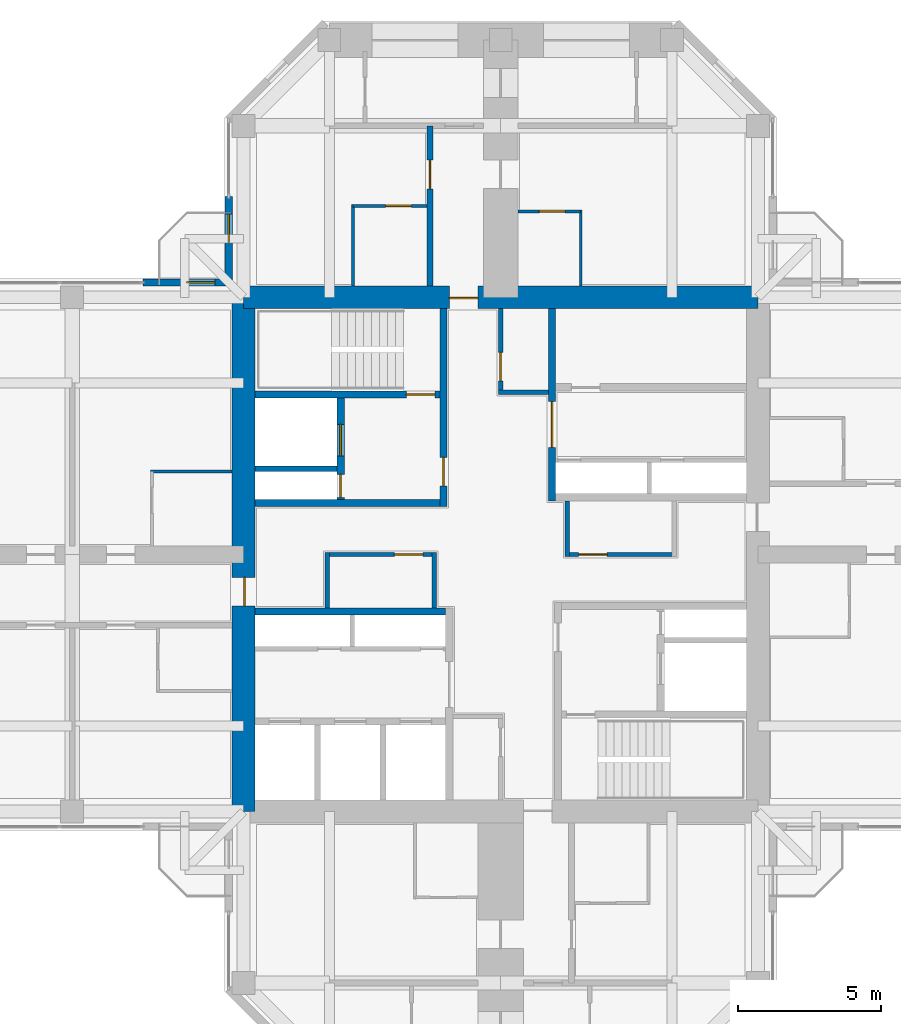
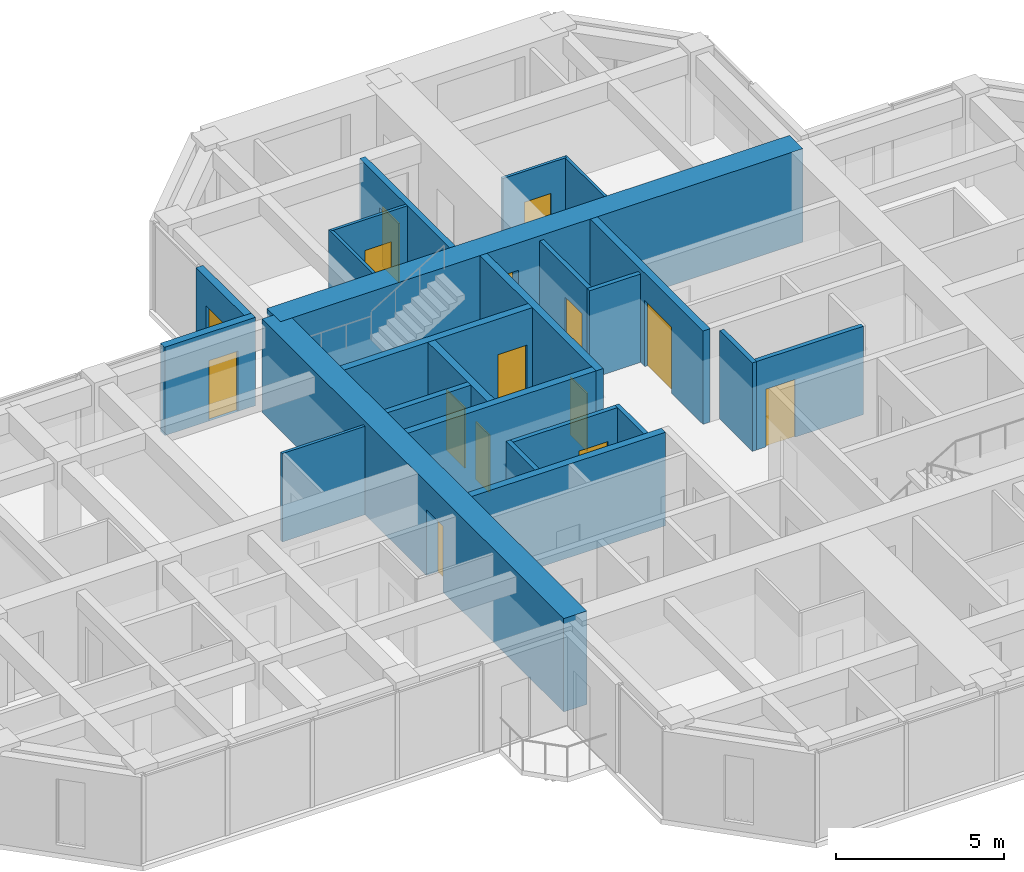
# One storey, part 10 of 14: 24 walls, 15 doors, 15 openings.
"""IFC4 building model written with IfcOpenShell, lengths in metres."""

import ifcopenshell
import ifcopenshell.guid

model = None  # the IFC model being written
_history = None  # IfcOwnerHistory: only IFC2X3 demands one
_inside = {}  # id of a spatial element -> (the spatial element, [elements in it])
_under = {}  # id of a project, library or spatial element -> (it, [spatial elements below it])
_declared = {}  # id of a project -> (the project, [libraries it declares])
_typed = {}  # id of a type object -> (the type object, [elements of that type])
_made_of = {}  # id of a material, layer set ... -> (it, [elements and type objects made of it])


def new_model(schema):
    """Start an empty IFC model of exactly this schema.

    Asked for "IFC4X3", IfcOpenShell would pick the latest addendum, in which some entities
    have other attributes; the version numbers below select the first issue.
    IFC2X3 requires an IfcOwnerHistory on every rooted entity: one is made here for all.
    """
    global model, _history
    if schema == "IFC4X3":
        model = ifcopenshell.file(schema_version=(4, 3, 0, 0))
    else:
        model = ifcopenshell.file(schema=schema)
    _inside.clear()
    _under.clear()
    _declared.clear()
    _typed.clear()
    _made_of.clear()
    _history = None
    if model.schema == "IFC2X3":
        org = make("IfcOrganization", Name="unknown")
        user = make(
            "IfcPersonAndOrganization",
            ThePerson=make("IfcPerson", FamilyName="unknown"),
            TheOrganization=org,
        )
        app = make(
            "IfcApplication",
            ApplicationDeveloper=org,
            Version="unknown",
            ApplicationFullName="unknown",
            ApplicationIdentifier="unknown",
        )
        _history = make(
            "IfcOwnerHistory",
            OwningUser=user,
            OwningApplication=app,
            ChangeAction="ADDED",
            CreationDate=0,
        )
    return model


def make(cls, **values):
    """One entity of the class cls with the attributes given. An attribute that is None is left unset."""
    return model.create_entity(
        cls, **{name: value for name, value in values.items() if value is not None}
    )


def rooted(cls, **values):
    """An entity with a GlobalId (a new one), such as an element, a storey or a relation."""
    return make(cls, GlobalId=ifcopenshell.guid.new(), OwnerHistory=_history, **values)


def si_unit(unit_type, name, prefix=None):
    """IfcSIUnit, for example si_unit("LENGTHUNIT", "METRE", prefix="MILLI")."""
    return make("IfcSIUnit", UnitType=unit_type, Prefix=prefix, Name=name)


def assignment(units):
    """IfcUnitAssignment: the units of a project."""
    return None if units is None else make("IfcUnitAssignment", Units=units)


def point(xyz):
    """IfcCartesianPoint."""
    return None if xyz is None else make("IfcCartesianPoint", Coordinates=xyz)


def direction(xyz):
    """IfcDirection."""
    return None if xyz is None else make("IfcDirection", DirectionRatios=xyz)


def frame(location, z_axis=None, x_axis=None):
    """IfcAxis2Placement3D, a coordinate frame: its origin and axes. An axis left out is left unset."""
    return make(
        "IfcAxis2Placement3D",
        Location=point(location),
        Axis=direction(z_axis),
        RefDirection=direction(x_axis),
    )


def frame_2d(location, x_axis=None):
    """IfcAxis2Placement2D, a coordinate frame in the plane: its origin and x axis."""
    return make(
        "IfcAxis2Placement2D", Location=point(location), RefDirection=direction(x_axis)
    )


def origin():
    """The frame at (0, 0, 0) with its axes left unset."""
    return frame((0.0, 0.0, 0.0))


def place(relative_to, where):
    """IfcLocalPlacement: puts the frame where relative to a parent placement (None: the world)."""
    return make(
        "IfcLocalPlacement", PlacementRelTo=relative_to, RelativePlacement=where
    )


def context(
    kind, dimensions, precision=None, world=None, true_north=None, identifier=None
):
    """IfcGeometricRepresentationContext, for example the 3D "Model" context."""
    return make(
        "IfcGeometricRepresentationContext",
        ContextIdentifier=identifier,
        ContextType=kind,
        CoordinateSpaceDimension=dimensions,
        Precision=precision,
        WorldCoordinateSystem=world,
        TrueNorth=true_north,
    )


def subcontext(parent, identifier, kind, view, scale=None):
    """IfcGeometricRepresentationSubContext, for example "Body" below "Model"."""
    return make(
        "IfcGeometricRepresentationSubContext",
        ContextIdentifier=identifier,
        ContextType=kind,
        ParentContext=parent,
        TargetScale=scale,
        TargetView=view,
    )


def project(units=None, contexts=None):
    """IfcProject with its units and contexts."""
    return rooted(
        "IfcProject",
        Name="project",
        RepresentationContexts=contexts,
        UnitsInContext=assignment(units),
    )


def spatial(cls, under=None, at=None, **own):
    """A site, building, storey or space (cls), placed at a placement, below another one or the project."""
    s = rooted(cls, ObjectPlacement=at, **own)
    if under is not None:
        _under.setdefault(under.id(), (under, []))[1].append(s)
    return s


def profile(cls, at=None, kind="AREA", **sizes):
    """A parametric profile (cls). Its sizes go by their IFC names, for example OverallWidth=200.0."""
    return make(cls, ProfileType=kind, Position=at, **sizes)


def rectangle(**sizes):
    """IfcRectangleProfileDef."""
    return profile("IfcRectangleProfileDef", **sizes)


def hollow_rectangle(**sizes):
    """IfcRectangleHollowProfileDef."""
    return profile("IfcRectangleHollowProfileDef", **sizes)


def extrude(swept, where, along, depth):
    """IfcExtrudedAreaSolid: the profile swept, set in the frame where, extruded along a direction by depth."""
    return make(
        "IfcExtrudedAreaSolid",
        SweptArea=swept,
        Position=where,
        ExtrudedDirection=direction(along),
        Depth=depth,
    )


def shape(context_of_items, identifier, shape_type, items):
    """IfcShapeRepresentation: the items that make up one representation, for example the "Body"."""
    return make(
        "IfcShapeRepresentation",
        ContextOfItems=context_of_items,
        RepresentationIdentifier=identifier,
        RepresentationType=shape_type,
        Items=items,
    )


def material(Name=None, Category=None):
    """IfcMaterial."""
    return make("IfcMaterial", Name=Name, Category=Category)


def layer(
    of_material, thickness, ventilated=None, Name=None, Category=None, Priority=None
):
    """IfcMaterialLayer: one layer of a wall or slab, of a material (None: an air gap)."""
    return make(
        "IfcMaterialLayer",
        Material=of_material,
        LayerThickness=thickness,
        IsVentilated=ventilated,
        Name=Name,
        Category=Category,
        Priority=Priority,
    )


def layer_set(layers, Name=None):
    """IfcMaterialLayerSet."""
    return make("IfcMaterialLayerSet", MaterialLayers=layers, LayerSetName=Name)


def constituent(of_material, Name=None, Category=None, fraction=None):
    """IfcMaterialConstituent: one of the materials an element consists of."""
    return make(
        "IfcMaterialConstituent",
        Name=Name,
        Material=of_material,
        Fraction=fraction,
        Category=Category,
    )


def constituent_set(constituents=None, Name=None):
    """IfcMaterialConstituentSet."""
    return make(
        "IfcMaterialConstituentSet", Name=Name, MaterialConstituents=constituents
    )


def made_of(thing, what):
    """Note that an element or type object is made of a material, layer set ...; save() writes the relation."""
    if what is not None:
        _made_of.setdefault(what.id(), (what, []))[1].append(thing)
    return thing


def type_object(cls, material=None, **own):
    """A type object (cls), such as IfcWallType, which elements share."""
    return made_of(rooted(cls, **own), material)


def element(
    cls,
    number,
    at=None,
    inside=None,
    cuts=None,
    type_object=None,
    material=None,
    context=None,
    identifier="Body",
    shape_type=None,
    held_by="IfcProductDefinitionShape",
    body=None,
    shapes=None,
    **own,
):
    """One element of the class cls, such as IfcWall. Its Tag is "e" and its number.

    at: its placement. inside: the storey or other place that contains it. cuts: it is an
    opening in that element (IfcRelVoidsElement). A single representation is given by context,
    identifier, shape_type and body (its items); several are given by shapes. held_by: the class
    of the entity that holds the representations. save() writes the other relations.
    """
    e = rooted(cls, Tag="e%d" % number, ObjectPlacement=at, **own)
    if body is not None:
        shapes = [shape(context, identifier, shape_type, body)]
    if shapes is not None:
        e.Representation = make(held_by, Representations=shapes)
    if inside is not None:
        _inside.setdefault(inside.id(), (inside, []))[1].append(e)
    if cuts is not None:
        rooted(
            "IfcRelVoidsElement", RelatingBuildingElement=cuts, RelatedOpeningElement=e
        )
    if type_object is not None:
        _typed.setdefault(type_object.id(), (type_object, []))[1].append(e)
    return made_of(e, material)


def fill(opening, filler):
    """IfcRelFillsElement: the door or window that sits in an opening."""
    return rooted(
        "IfcRelFillsElement",
        RelatingOpeningElement=opening,
        RelatedBuildingElement=filler,
    )


def aggregate(whole, parts):
    """IfcRelAggregates: a whole, such as a stair, and the parts it consists of."""
    return rooted("IfcRelAggregates", RelatingObject=whole, RelatedObjects=parts)


def save(model, path):
    """Write the relations noted so far, then the file.

    IfcRelAggregates (storeys below a building ...), IfcRelContainedInSpatialStructure (elements
    in a storey), IfcRelDefinesByType, IfcRelAssociatesMaterial and IfcRelDeclares: one each for
    every whole, place, type object, material and project.
    """
    for whole, parts in _under.values():
        aggregate(whole, parts)
    for where, things in _inside.values():
        rooted(
            "IfcRelContainedInSpatialStructure",
            RelatedElements=things,
            RelatingStructure=where,
        )
    for kind, things in _typed.values():
        rooted("IfcRelDefinesByType", RelatedObjects=things, RelatingType=kind)
    for what, things in _made_of.values():
        rooted("IfcRelAssociatesMaterial", RelatedObjects=things, RelatingMaterial=what)
    for by, libraries in _declared.values():
        rooted("IfcRelDeclares", RelatingContext=by, RelatedDefinitions=libraries)
    model.write(path)


model = new_model("IFC4")

# Units and contexts
model_context = context("Model", 3, precision=1e-05, world=origin(), true_north=direction((0.0, 1.0)))
body_context = subcontext(model_context, "Body", "Model", "MODEL_VIEW")
ifc_project = project(units=[si_unit("LENGTHUNIT", "METRE"), si_unit("AREAUNIT", "SQUARE_METRE"), si_unit("VOLUMEUNIT", "CUBIC_METRE"), si_unit("PLANEANGLEUNIT", "RADIAN"), si_unit("MASSUNIT", "GRAM", prefix="KILO")], contexts=[model_context])

# Site, building, storey
site_placement = place(None, origin())
site = spatial("IfcSite", under=ifc_project, at=site_placement, CompositionType="ELEMENT")
building_placement = place(site_placement, origin())
building = spatial("IfcBuilding", under=site, at=building_placement, Name="Torre Cruceta", CompositionType="ELEMENT")
storey_placement = place(building_placement, frame((0.0, 0.0, 225.5)))
storey = spatial("IfcBuildingStorey", under=building, at=storey_placement, Name="L57", CompositionType="ELEMENT", Elevation=225.5)

# Wall
ifc_material_1 = material(Name="Water-resistant plasterboard on steel studs", Category="steel")
ifc_layer_1 = layer(ifc_material_1, 0.10009765625)
ifc_layer_set_1 = layer_set([ifc_layer_1], Name="Water-resistant plasterboard on steel studs")
wall_type_1 = type_object("IfcWallType", Name="BATHROOM WALL 100", PredefinedType="PARTITIONING", material=ifc_layer_set_1)
wall_1_placement = place(storey_placement, frame((-5.175048828125, 9.39990234375, 0.0), z_axis=(0.0, 0.0, 1.0), x_axis=(0.0, 1.0, 0.0)))
element("IfcWall", 1, at=wall_1_placement, inside=storey, type_object=wall_type_1, Name="PT4 L57-N-U1LBB", PredefinedType="PARTITIONING", context=body_context, shape_type="SweptSolid", body=[
    extrude(rectangle(XDim=2.85009765625, YDim=0.10009765625, at=frame_2d((1.425048828125, 0.0))), origin(), (0.0, 0.0, 1.0), 3.219970703125),
])

# Wall, opening, door
wall_2_placement = place(storey_placement, frame((-2.574951171875, 12.199951171875, 0.0), z_axis=(0.0, 0.0, 1.0), x_axis=(-1.0, 0.0, 0.0)))
wall_2 = element("IfcWall", 2, at=wall_2_placement, inside=storey, type_object=wall_type_1, Name="PT4 L57-N-U1LBS", PredefinedType="PARTITIONING", context=body_context, shape_type="SweptSolid", body=[
    extrude(rectangle(XDim=2.60009765625, YDim=0.10009765625, at=frame_2d((1.300048828125, 0.0))), origin(), (0.0, 0.0, 1.0), 3.219970703125),
])
opening_1_placement = place(wall_2_placement, frame((0.550048828125, 0.0, 0.0)))
opening_1 = element("IfcOpeningElement", 3, at=opening_1_placement, cuts=wall_2, Name="Opening D7", PredefinedType="OPENING", context=body_context, shape_type="SweptSolid", body=[
    extrude(rectangle(XDim=0.89990234375, YDim=2.10009765625, at=frame_2d((0.449951171875, 1.050048828125))), frame((0.0, 0.06005859375, 0.0), z_axis=(0.0, -1.0, 0.0), x_axis=(1.0, 0.0, 0.0)), (0.0, 0.0, 1.0), 0.1201171875),
])
ifc_material_2 = material(Name="Timber door", Category="wood")
door_type_1 = type_object("IfcDoorType", Name="BATHROOM DOOR 900X2100", OperationType="SINGLE_SWING_LEFT", PredefinedType="DOOR", material=ifc_material_2)
door_1_placement = place(opening_1_placement, origin())
door_1 = element("IfcDoor", 4, at=door_1_placement, inside=storey, type_object=door_type_1, Name="D7 L57-N-U1LBS-D1", OperationType="SINGLE_SWING_LEFT", OverallHeight=2.10009765625, OverallWidth=0.89990234375, PredefinedType="DOOR", context=body_context, shape_type="SweptSolid", body=[
    extrude(rectangle(XDim=0.89990234375, YDim=2.10009765625, at=frame_2d((0.449951171875, 1.050048828125))), frame((0.0, 0.02490234375, 0.0), z_axis=(0.0, -1.0, 0.0), x_axis=(1.0, 0.0, 0.0)), (0.0, 0.0, 1.0), 0.050048828125),
])
fill(opening_1, door_1)

# Wall
wall_3_placement = place(storey_placement, frame((2.800048828125, 9.39990234375, 0.0), z_axis=(0.0, 0.0, 1.0), x_axis=(0.0, 1.0, 0.0)))
element("IfcWall", 5, at=wall_3_placement, inside=storey, type_object=wall_type_1, Name="PT4 L57-N-U1RBB", PredefinedType="PARTITIONING", context=body_context, shape_type="SweptSolid", body=[
    extrude(rectangle(XDim=2.650146484375, YDim=0.10009765625, at=frame_2d((1.3251953125, 0.0))), origin(), (0.0, 0.0, 1.0), 3.219970703125),
])

# Wall, opening, door
wall_4_placement = place(storey_placement, frame((2.800048828125, 12.0, 0.0), z_axis=(0.0, 0.0, 1.0), x_axis=(-1.0, 0.0, 0.0)))
wall_4 = element("IfcWall", 6, at=wall_4_placement, inside=storey, type_object=wall_type_1, Name="PT4 L57-N-U1RBS", PredefinedType="PARTITIONING", context=body_context, shape_type="SweptSolid", body=[
    extrude(rectangle(XDim=2.199951171875, YDim=0.10009765625, at=frame_2d((1.10009765625, 0.0))), origin(), (0.0, 0.0, 1.0), 3.219970703125),
])
opening_2_placement = place(wall_4_placement, frame((0.550048828125, 0.0, 0.0)))
opening_2 = element("IfcOpeningElement", 7, at=opening_2_placement, cuts=wall_4, Name="Opening D7", PredefinedType="OPENING", context=body_context, shape_type="SweptSolid", body=[
    extrude(rectangle(XDim=0.89990234375, YDim=2.10009765625, at=frame_2d((0.449951171875, 1.050048828125))), frame((0.0, 0.06005859375, 0.0), z_axis=(0.0, -1.0, 0.0), x_axis=(1.0, 0.0, 0.0)), (0.0, 0.0, 1.0), 0.1201171875),
])
door_2_placement = place(opening_2_placement, origin())
door_2 = element("IfcDoor", 8, at=door_2_placement, inside=storey, type_object=door_type_1, Name="D7 L57-N-U1RBS-D1", OperationType="SINGLE_SWING_LEFT", OverallHeight=2.10009765625, OverallWidth=0.89990234375, PredefinedType="DOOR", context=body_context, shape_type="SweptSolid", body=[
    extrude(rectangle(XDim=0.89990234375, YDim=2.10009765625, at=frame_2d((0.449951171875, 1.050048828125))), frame((0.0, 0.02490234375, 0.0), z_axis=(0.0, -1.0, 0.0), x_axis=(1.0, 0.0, 0.0)), (0.0, 0.0, 1.0), 0.050048828125),
])
fill(opening_2, door_2)

# Wall
wall_5_placement = place(storey_placement, frame((-9.39990234375, 2.89990234375, 0.0), z_axis=(0.0, 0.0, 1.0), x_axis=(-1.0, 0.0, 0.0)))
element("IfcWall", 9, at=wall_5_placement, inside=storey, type_object=wall_type_1, Name="PT4 L57-W-U1RBB", PredefinedType="PARTITIONING", context=body_context, shape_type="SweptSolid", body=[
    extrude(rectangle(XDim=2.85009765625, YDim=0.10009765625, at=frame_2d((1.425048828125, 0.0))), origin(), (0.0, 0.0, 1.0), 3.219970703125),
])

# Wall, opening, door
ifc_material_3 = material(Name="Concrete G60 (fck 60 MPa)", Category="concrete")
ifc_layer_2 = layer(ifc_material_3, 0.25)
ifc_layer_set_2 = layer_set([ifc_layer_2], Name="Concrete G60 (fck 60 MPa)")
wall_type_2 = type_object("IfcWallType", Name="CORE INNER WALL 250 G60", PredefinedType="SHEAR", material=ifc_layer_set_2)
wall_6_placement = place(storey_placement, frame((1.800048828125, 1.875, 0.0), z_axis=(0.0, 0.0, 1.0), x_axis=(0.0, 1.0, 0.0)))
wall_6 = element("IfcWall", 10, at=wall_6_placement, inside=storey, type_object=wall_type_2, Name="CW4 L57 NE-CU", PredefinedType="SHEAR", context=body_context, shape_type="SweptSolid", body=[
    extrude(rectangle(XDim=6.72509765625, YDim=0.25, at=frame_2d((3.362548828125, 0.0))), origin(), (0.0, 0.0, 1.0), 3.39990234375),
])
opening_3_placement = place(wall_6_placement, frame((1.875, 0.0, 0.0)))
opening_3 = element("IfcOpeningElement", 11, at=opening_3_placement, cuts=wall_6, Name="Opening D15", PredefinedType="OPENING", context=body_context, shape_type="SweptSolid", body=[
    extrude(rectangle(XDim=1.60009765625, YDim=2.39990234375, at=frame_2d((0.800048828125, 1.199951171875))), frame((0.0, 0.135009765625, 0.0), z_axis=(0.0, -1.0, 0.0), x_axis=(1.0, 0.0, 0.0)), (0.0, 0.0, 1.0), 0.27001953125),
])
ifc_material_4 = material(Name="Steel DX51D", Category="steel")
ifc_constituent_1 = constituent(ifc_material_4, Name="Leaf and frame")
ifc_material_5 = material(Name="Polyester powder coating", Category="paint")
ifc_constituent_2 = constituent(ifc_material_5, Name="Finish")
ifc_constituent_set_1 = constituent_set(constituents=[ifc_constituent_1, ifc_constituent_2], Name="Steel fire door")
door_type_2 = type_object("IfcDoorType", Name="CORE ROOM DOUBLE DOOR 1600X2400", OperationType="DOUBLE_DOOR_SINGLE_SWING", PredefinedType="DOOR", material=ifc_constituent_set_1)
door_3_placement = place(opening_3_placement, frame((1.60009765625, 0.0, 0.0), z_axis=(0.0, 0.0, 1.0), x_axis=(-1.0, 0.0, 0.0)))
door_3 = element("IfcDoor", 12, at=door_3_placement, inside=storey, type_object=door_type_2, Name="D15 L57 NE-LOBBY", OperationType="DOUBLE_DOOR_SINGLE_SWING", OverallHeight=2.39990234375, OverallWidth=1.60009765625, PredefinedType="DOOR", context=body_context, shape_type="SweptSolid", body=[
    extrude(rectangle(XDim=1.60009765625, YDim=2.39990234375, at=frame_2d((0.800048828125, 1.199951171875))), frame((0.0, 0.025146484375, 0.0), z_axis=(0.0, -1.0, 0.0), x_axis=(1.0, 0.0, 0.0)), (0.0, 0.0, 1.0), 0.050048828125),
])
fill(opening_3, door_3)

wall_7_placement = place(storey_placement, frame((-2.0, 1.675048828125, 0.0), z_axis=(0.0, 0.0, 1.0), x_axis=(0.0, 1.0, 0.0)))
wall_7 = element("IfcWall", 13, at=wall_7_placement, inside=storey, type_object=wall_type_2, Name="CW4 L57 NW-CU", PredefinedType="SHEAR", context=body_context, shape_type="SweptSolid", body=[
    extrude(rectangle(XDim=6.925048828125, YDim=0.25, at=frame_2d((3.46240234375, 0.0))), origin(), (0.0, 0.0, 1.0), 3.39990234375),
])
opening_4_placement = place(wall_7_placement, frame((0.72509765625, 0.0, 0.0)))
opening_4 = element("IfcOpeningElement", 14, at=opening_4_placement, cuts=wall_7, Name="Opening D3", PredefinedType="OPENING", context=body_context, shape_type="SweptSolid", body=[
    extrude(rectangle(XDim=1.0, YDim=2.10009765625, at=frame_2d((0.5, 1.050048828125))), frame((0.0, 0.135009765625, 0.0), z_axis=(0.0, -1.0, 0.0), x_axis=(1.0, 0.0, 0.0)), (0.0, 0.0, 1.0), 0.27001953125),
])
ifc_material_6 = material(Name="Steel DX51D", Category="steel")
ifc_constituent_3 = constituent(ifc_material_6, Name="Leaf and frame")
ifc_material_7 = material(Name="Polyester powder coating", Category="paint")
ifc_constituent_4 = constituent(ifc_material_7, Name="Finish")
ifc_constituent_set_2 = constituent_set(constituents=[ifc_constituent_3, ifc_constituent_4], Name="Steel fire door")
door_type_3 = type_object("IfcDoorType", Name="FIRE DOOR 1000X2100", OperationType="SINGLE_SWING_LEFT", PredefinedType="DOOR", material=ifc_constituent_set_2)
door_4_placement = place(opening_4_placement, origin())
door_4 = element("IfcDoor", 15, at=door_4_placement, inside=storey, type_object=door_type_3, Name="D3 L57 NW-LOBBY", OperationType="SINGLE_SWING_LEFT", OverallHeight=2.10009765625, OverallWidth=1.0, PredefinedType="DOOR", context=body_context, shape_type="SweptSolid", body=[
    extrude(rectangle(XDim=1.0, YDim=2.10009765625, at=frame_2d((0.5, 1.050048828125))), frame((0.0, 0.02490234375, 0.0), z_axis=(0.0, -1.0, 0.0), x_axis=(1.0, 0.0, 0.0)), (0.0, 0.0, 1.0), 0.050048828125),
])
fill(opening_4, door_4)

# Wall
wall_8_placement = place(storey_placement, frame((-2.125, 1.800048828125, 0.0), z_axis=(0.0, 0.0, 1.0), x_axis=(-1.0, 0.0, 0.0)))
element("IfcWall", 16, at=wall_8_placement, inside=storey, type_object=wall_type_2, Name="CW4 L57 NW-CV", PredefinedType="SHEAR", context=body_context, shape_type="SweptSolid", body=[
    extrude(rectangle(XDim=6.47509765625, YDim=0.25, at=frame_2d((3.237548828125, 0.0))), origin(), (0.0, 0.0, 1.0), 3.39990234375),
])

# Wall, opening, door
wall_9_placement = place(storey_placement, frame((-2.125, 5.60009765625, 0.0), z_axis=(0.0, 0.0, 1.0), x_axis=(-1.0, 0.0, 0.0)))
wall_9 = element("IfcWall", 17, at=wall_9_placement, inside=storey, type_object=wall_type_2, Name="CW4 L57 NW-SV", PredefinedType="SHEAR", context=body_context, shape_type="SweptSolid", body=[
    extrude(rectangle(XDim=6.47509765625, YDim=0.25, at=frame_2d((3.237548828125, 0.0))), origin(), (0.0, 0.0, 1.0), 3.39990234375),
])
opening_5_placement = place(wall_9_placement, frame((0.175048828125, 0.0, 0.0)))
opening_5 = element("IfcOpeningElement", 18, at=opening_5_placement, cuts=wall_9, Name="Opening D3", PredefinedType="OPENING", context=body_context, shape_type="SweptSolid", body=[
    extrude(rectangle(XDim=1.0, YDim=2.10009765625, at=frame_2d((0.5, 1.050048828125))), frame((0.0, 0.135009765625, 0.0), z_axis=(0.0, -1.0, 0.0), x_axis=(1.0, 0.0, 0.0)), (0.0, 0.0, 1.0), 0.27001953125),
])
door_5_placement = place(opening_5_placement, frame((1.0, 0.0, 0.0), z_axis=(0.0, 0.0, 1.0), x_axis=(-1.0, 0.0, 0.0)))
door_5 = element("IfcDoor", 19, at=door_5_placement, inside=storey, type_object=door_type_3, Name="D3 L57 NW-STAIR", OperationType="SINGLE_SWING_RIGHT", OverallHeight=2.10009765625, OverallWidth=1.0, PredefinedType="DOOR", context=body_context, shape_type="SweptSolid", body=[
    extrude(rectangle(XDim=1.0, YDim=2.10009765625, at=frame_2d((0.5, 1.050048828125))), frame((0.0, 0.025146484375, 0.0), z_axis=(0.0, -1.0, 0.0), x_axis=(1.0, 0.0, 0.0)), (0.0, 0.0, 1.0), 0.050048828125),
])
fill(opening_5, door_5)

# Wall, openings, doors
wall_10_placement = place(storey_placement, frame((-5.60009765625, 1.925048828125, 0.0), z_axis=(0.0, 0.0, 1.0), x_axis=(0.0, 1.0, 0.0)))
wall_10 = element("IfcWall", 20, at=wall_10_placement, inside=storey, type_object=wall_type_2, Name="CW4 L57 NW-FU", PredefinedType="SHEAR", context=body_context, shape_type="SweptSolid", body=[
    extrude(rectangle(XDim=3.550048828125, YDim=0.25, at=frame_2d((1.77490234375, 0.0))), origin(), (0.0, 0.0, 1.0), 3.39990234375),
])
opening_6_placement = place(wall_10_placement, frame((1.52490234375, 0.0, 0.0)))
opening_6 = element("IfcOpeningElement", 21, at=opening_6_placement, cuts=wall_10, Name="Opening LD1", PredefinedType="OPENING", context=body_context, shape_type="SweptSolid", body=[
    extrude(rectangle(XDim=1.10009765625, YDim=2.199951171875, at=frame_2d((0.550048828125, 1.10009765625))), frame((0.0, 0.135009765625, 0.0), z_axis=(0.0, -1.0, 0.0), x_axis=(1.0, 0.0, 0.0)), (0.0, 0.0, 1.0), 0.27001953125),
])
opening_7_placement = place(wall_10_placement, frame((0.074951171875, 0.0, 0.0)))
opening_7 = element("IfcOpeningElement", 22, at=opening_7_placement, cuts=wall_10, Name="Opening D5", PredefinedType="OPENING", context=body_context, shape_type="SweptSolid", body=[
    extrude(rectangle(XDim=0.800048828125, YDim=2.10009765625, at=frame_2d((0.39990234375, 1.050048828125))), frame((0.0, 0.135009765625, 0.0), z_axis=(0.0, -1.0, 0.0), x_axis=(1.0, 0.0, 0.0)), (0.0, 0.0, 1.0), 0.27001953125),
])
ifc_material_8 = material(Name="Stainless steel 1.4401", Category="steel")
door_type_4 = type_object("IfcDoorType", Name="LIFT LANDING DOOR 1100X2200", OperationType="DOUBLE_DOOR_SLIDING", PredefinedType="DOOR", material=ifc_material_8)
door_6_placement = place(opening_6_placement, origin())
door_6 = element("IfcDoor", 23, at=door_6_placement, inside=storey, type_object=door_type_4, Name="Lift landing door FL1", OperationType="DOUBLE_DOOR_SLIDING", OverallHeight=2.199951171875, OverallWidth=1.10009765625, PredefinedType="DOOR", context=body_context, shape_type="SweptSolid", body=[
    extrude(rectangle(XDim=1.10009765625, YDim=2.199951171875, at=frame_2d((0.550048828125, 1.10009765625))), frame((0.0, 0.02490234375, 0.0), z_axis=(0.0, -1.0, 0.0), x_axis=(1.0, 0.0, 0.0)), (0.0, 0.0, 1.0), 0.050048828125),
])
fill(opening_6, door_6)
ifc_material_9 = material(Name="Steel DX51D", Category="steel")
ifc_constituent_5 = constituent(ifc_material_9, Name="Leaf and frame")
ifc_material_10 = material(Name="Polyester powder coating", Category="paint")
ifc_constituent_6 = constituent(ifc_material_10, Name="Finish")
ifc_constituent_set_3 = constituent_set(constituents=[ifc_constituent_5, ifc_constituent_6], Name="Steel fire door")
door_type_5 = type_object("IfcDoorType", Name="RISER ACCESS DOOR 800X2100", OperationType="SINGLE_SWING_LEFT", PredefinedType="DOOR", material=ifc_constituent_set_3)
door_7_placement = place(opening_7_placement, origin())
door_7 = element("IfcDoor", 24, at=door_7_placement, inside=storey, type_object=door_type_5, Name="D5 L57 NW-RISER", OperationType="SINGLE_SWING_LEFT", OverallHeight=2.10009765625, OverallWidth=0.800048828125, PredefinedType="DOOR", context=body_context, shape_type="SweptSolid", body=[
    extrude(rectangle(XDim=0.800048828125, YDim=2.10009765625, at=frame_2d((0.39990234375, 1.050048828125))), frame((0.0, 0.02490234375, 0.0), z_axis=(0.0, -1.0, 0.0), x_axis=(1.0, 0.0, 0.0)), (0.0, 0.0, 1.0), 0.050048828125),
])
fill(opening_7, door_7)

# Wall
wall_11_placement = place(storey_placement, frame((-1.925048828125, -2.0, 0.0), z_axis=(0.0, 0.0, 1.0), x_axis=(-1.0, 0.0, 0.0)))
element("IfcWall", 25, at=wall_11_placement, inside=storey, type_object=wall_type_2, Name="CW4 L57 SW-CV", PredefinedType="SHEAR", context=body_context, shape_type="SweptSolid", body=[
    extrude(rectangle(XDim=6.675048828125, YDim=0.25, at=frame_2d((3.33740234375, 0.0))), origin(), (0.0, 0.0, 1.0), 3.39990234375),
])

# Wall, opening, door
ifc_material_11 = material(Name="Concrete G60 (fck 60 MPa)", Category="concrete")
ifc_layer_3 = layer(ifc_material_11, 0.800048828125)
ifc_layer_set_3 = layer_set([ifc_layer_3], Name="Concrete G60 (fck 60 MPa)")
wall_type_3 = type_object("IfcWallType", Name="CORE WALL 800 G60", PredefinedType="SHEAR", material=ifc_layer_set_3)
wall_12_placement = place(storey_placement, frame((9.0, 9.0, 0.0), z_axis=(0.0, 0.0, 1.0), x_axis=(-1.0, 0.0, 0.0)))
wall_12 = element("IfcWall", 26, at=wall_12_placement, inside=storey, type_object=wall_type_3, Name="CW3 L57 CW-N", PredefinedType="SHEAR", context=body_context, shape_type="SweptSolid", body=[
    extrude(rectangle(XDim=18.0, YDim=0.800048828125, at=frame_2d((9.0, 0.0))), origin(), (0.0, 0.0, 1.0), 3.39990234375),
])
opening_8_placement = place(wall_12_placement, frame((9.800048828125, 0.0, 0.0)))
opening_8 = element("IfcOpeningElement", 27, at=opening_8_placement, cuts=wall_12, Name="Opening D4", PredefinedType="OPENING", context=body_context, shape_type="SweptSolid", body=[
    extrude(rectangle(XDim=1.0, YDim=2.39990234375, at=frame_2d((0.5, 1.199951171875))), frame((0.0, 0.409912109375, 0.0), z_axis=(0.0, -1.0, 0.0), x_axis=(1.0, 0.0, 0.0)), (0.0, 0.0, 1.0), 0.820068359375),
])
ifc_material_12 = material(Name="Steel DX51D", Category="steel")
ifc_constituent_7 = constituent(ifc_material_12, Name="Leaf and frame")
ifc_material_13 = material(Name="Polyester powder coating", Category="paint")
ifc_constituent_8 = constituent(ifc_material_13, Name="Finish")
ifc_constituent_set_4 = constituent_set(constituents=[ifc_constituent_7, ifc_constituent_8], Name="Steel fire door")
door_type_6 = type_object("IfcDoorType", Name="CORE ARM DOOR 1000X2400", OperationType="SINGLE_SWING_RIGHT", PredefinedType="DOOR", material=ifc_constituent_set_4)
door_8_placement = place(opening_8_placement, origin())
door_8 = element("IfcDoor", 28, at=door_8_placement, inside=storey, type_object=door_type_6, Name="D4 L57 CW-N", OperationType="SINGLE_SWING_RIGHT", OverallHeight=2.39990234375, OverallWidth=1.0, PredefinedType="DOOR", context=body_context, shape_type="SweptSolid", body=[
    extrude(rectangle(XDim=1.0, YDim=2.39990234375, at=frame_2d((0.5, 1.199951171875))), frame((0.0, 0.05517578125, 0.0), z_axis=(0.0, -1.0, 0.0), x_axis=(1.0, 0.0, 0.0)), (0.0, 0.0, 1.0), 0.050048828125),
])
fill(opening_8, door_8)

wall_13_placement = place(storey_placement, frame((-9.0, 9.0, 0.0), z_axis=(0.0, 0.0, 1.0), x_axis=(0.0, -1.0, 0.0)))
wall_13 = element("IfcWall", 29, at=wall_13_placement, inside=storey, type_object=wall_type_3, Name="CW3 L57 CW-W", PredefinedType="SHEAR", context=body_context, shape_type="SweptSolid", body=[
    extrude(rectangle(XDim=18.0, YDim=0.800048828125, at=frame_2d((9.0, 0.0))), origin(), (0.0, 0.0, 1.0), 3.39990234375),
])
opening_9_placement = place(wall_13_placement, frame((9.800048828125, 0.0, 0.0)))
opening_9 = element("IfcOpeningElement", 30, at=opening_9_placement, cuts=wall_13, Name="Opening D4", PredefinedType="OPENING", context=body_context, shape_type="SweptSolid", body=[
    extrude(rectangle(XDim=1.0, YDim=2.39990234375, at=frame_2d((0.5, 1.199951171875))), frame((0.0, 0.409912109375, 0.0), z_axis=(0.0, -1.0, 0.0), x_axis=(1.0, 0.0, 0.0)), (0.0, 0.0, 1.0), 0.820068359375),
])
door_9_placement = place(opening_9_placement, origin())
door_9 = element("IfcDoor", 31, at=door_9_placement, inside=storey, type_object=door_type_6, Name="D4 L57 CW-W", OperationType="SINGLE_SWING_RIGHT", OverallHeight=2.39990234375, OverallWidth=1.0, PredefinedType="DOOR", context=body_context, shape_type="SweptSolid", body=[
    extrude(rectangle(XDim=1.0, YDim=2.39990234375, at=frame_2d((0.5, 1.199951171875))), frame((0.0, 0.05517578125, 0.0), z_axis=(0.0, -1.0, 0.0), x_axis=(1.0, 0.0, 0.0)), (0.0, 0.0, 1.0), 0.050048828125),
])
fill(opening_9, door_9)

ifc_material_14 = material(Name="Concrete G25 (fck 25 MPa)", Category="concrete")
ifc_layer_4 = layer(ifc_material_14, 0.199951171875)
ifc_layer_set_4 = layer_set([ifc_layer_4], Name="Concrete G25 (fck 25 MPa)")
wall_type_4 = type_object("IfcWallType", Name="CORRIDOR WALL 200", PredefinedType="SOLIDWALL", material=ifc_layer_set_4)
wall_14_placement = place(storey_placement, frame((-2.47509765625, 9.39990234375, 0.0), z_axis=(0.0, 0.0, 1.0), x_axis=(0.0, 1.0, 0.0)))
wall_14 = element("IfcWall", 32, at=wall_14_placement, inside=storey, type_object=wall_type_4, Name="PT3 L57-N-CL", PredefinedType="SOLIDWALL", context=body_context, shape_type="SweptSolid", body=[
    extrude(rectangle(XDim=5.60009765625, YDim=0.199951171875, at=frame_2d((2.800048828125, 0.0))), origin(), (0.0, 0.0, 1.0), 3.219970703125),
])
opening_10_placement = place(wall_14_placement, frame((3.39990234375, 0.0, 0.0)))
opening_10 = element("IfcOpeningElement", 33, at=opening_10_placement, cuts=wall_14, Name="Opening D6", PredefinedType="OPENING", context=body_context, shape_type="SweptSolid", body=[
    extrude(rectangle(XDim=1.0, YDim=2.14990234375, at=frame_2d((0.5, 1.074951171875))), frame((0.0, 0.10986328125, 0.0), z_axis=(0.0, -1.0, 0.0), x_axis=(1.0, 0.0, 0.0)), (0.0, 0.0, 1.0), 0.219970703125),
])
ifc_material_15 = material(Name="Timber fire door", Category="wood")
door_type_7 = type_object("IfcDoorType", Name="UNIT ENTRANCE DOOR 1000X2150", OperationType="SINGLE_SWING_LEFT", PredefinedType="DOOR", material=ifc_material_15)
door_10_placement = place(opening_10_placement, origin())
door_10 = element("IfcDoor", 34, at=door_10_placement, inside=storey, type_object=door_type_7, Name="D6 L57-N-CL-D1", OperationType="SINGLE_SWING_LEFT", OverallHeight=2.14990234375, OverallWidth=1.0, PredefinedType="DOOR", context=body_context, shape_type="SweptSolid", body=[
    extrude(rectangle(XDim=1.0, YDim=2.14990234375, at=frame_2d((0.5, 1.074951171875))), frame((0.0, 0.02490234375, 0.0), z_axis=(0.0, -1.0, 0.0), x_axis=(1.0, 0.0, 0.0)), (0.0, 0.0, 1.0), 0.050048828125),
])
fill(opening_10, door_10)

# Wall
ifc_material_16 = material(Name="Concrete G35 (fck 35 MPa)", Category="concrete")
ifc_layer_5 = layer(ifc_material_16, 0.199951171875)
ifc_layer_set_5 = layer_set([ifc_layer_5], Name="Concrete G35 (fck 35 MPa)")
wall_type_5 = type_object("IfcWallType", Name="LIFT SHAFT WALL 200", PredefinedType="PARTITIONING", material=ifc_layer_set_5)
wall_15_placement = place(storey_placement, frame((-5.72509765625, 3.0, 0.0), z_axis=(0.0, 0.0, 1.0), x_axis=(-1.0, 0.0, 0.0)))
element("IfcWall", 35, at=wall_15_placement, inside=storey, type_object=wall_type_5, Name="SW1 L57 NW-FR", PredefinedType="PARTITIONING", context=body_context, shape_type="SweptSolid", body=[
    extrude(rectangle(XDim=2.875, YDim=0.199951171875, at=frame_2d((1.4375, 0.0))), origin(), (0.0, 0.0, 1.0), 3.39990234375),
])

# Wall, opening, door
ifc_material_17 = material(Name="Plasterboard on steel studs", Category="steel")
ifc_layer_6 = layer(ifc_material_17, 0.14990234375)
ifc_layer_set_6 = layer_set([ifc_layer_6], Name="Plasterboard on steel studs")
wall_type_6 = type_object("IfcWallType", Name="PARTITION 150", PredefinedType="PARTITIONING", material=ifc_layer_set_6)
wall_16_placement = place(storey_placement, frame((2.324951171875, 0.0, 0.0), z_axis=(0.0, 0.0, 1.0), x_axis=(1.0, 0.0, 0.0)))
wall_16 = element("IfcWall", 36, at=wall_16_placement, inside=storey, type_object=wall_type_6, Name="PT1 L57-CORE-LEGE-N-W1", PredefinedType="PARTITIONING", context=body_context, shape_type="SweptSolid", body=[
    extrude(rectangle(XDim=3.75, YDim=0.14990234375, at=frame_2d((1.875, 0.0))), origin(), (0.0, 0.0, 1.0), 3.219970703125),
])
opening_11_placement = place(wall_16_placement, frame((0.39990234375, 0.0, 0.0)))
opening_11 = element("IfcOpeningElement", 37, at=opening_11_placement, cuts=wall_16, Name="Opening D3", PredefinedType="OPENING", context=body_context, shape_type="SweptSolid", body=[
    extrude(rectangle(XDim=1.0, YDim=2.10009765625, at=frame_2d((0.5, 1.050048828125))), frame((0.0, 0.0849609375, 0.0), z_axis=(0.0, -1.0, 0.0), x_axis=(1.0, 0.0, 0.0)), (0.0, 0.0, 1.0), 0.169921875),
])
door_11_placement = place(opening_11_placement, origin())
door_11 = element("IfcDoor", 38, at=door_11_placement, inside=storey, type_object=door_type_3, Name="D3 L57-CORE-LEGE-N-W1-D1", OperationType="SINGLE_SWING_LEFT", OverallHeight=2.10009765625, OverallWidth=1.0, PredefinedType="DOOR", context=body_context, shape_type="SweptSolid", body=[
    extrude(rectangle(XDim=1.0, YDim=2.10009765625, at=frame_2d((0.5, 1.050048828125))), frame((0.0, 0.02490234375, 0.0), z_axis=(0.0, -1.0, 0.0), x_axis=(1.0, 0.0, 0.0)), (0.0, 0.0, 1.0), 0.050048828125),
])
fill(opening_11, door_11)

# Wall
wall_17_placement = place(storey_placement, frame((2.324951171875, 1.875, 0.0), z_axis=(0.0, 0.0, 1.0), x_axis=(0.0, -1.0, 0.0)))
element("IfcWall", 39, at=wall_17_placement, inside=storey, type_object=wall_type_6, Name="PT1 L57-CORE-LEGE-N-W2", PredefinedType="PARTITIONING", context=body_context, shape_type="SweptSolid", body=[
    extrude(rectangle(XDim=1.949951171875, YDim=0.14990234375, at=frame_2d((0.97509765625, 0.0))), origin(), (0.0, 0.0, 1.0), 3.219970703125),
])

# Wall, opening, door
wall_18_placement = place(storey_placement, frame((-2.324951171875, 0.0, 0.0), z_axis=(0.0, 0.0, 1.0), x_axis=(-1.0, 0.0, 0.0)))
wall_18 = element("IfcWall", 40, at=wall_18_placement, inside=storey, type_object=wall_type_6, Name="PT1 L57-CORE-LEGW-S-W1", PredefinedType="PARTITIONING", context=body_context, shape_type="SweptSolid", body=[
    extrude(rectangle(XDim=3.75, YDim=0.14990234375, at=frame_2d((1.875, 0.0))), origin(), (0.0, 0.0, 1.0), 3.219970703125),
])
opening_12_placement = place(wall_18_placement, frame((0.39990234375, 0.0, 0.0)))
opening_12 = element("IfcOpeningElement", 41, at=opening_12_placement, cuts=wall_18, Name="Opening D3", PredefinedType="OPENING", context=body_context, shape_type="SweptSolid", body=[
    extrude(rectangle(XDim=1.0, YDim=2.10009765625, at=frame_2d((0.5, 1.050048828125))), frame((0.0, 0.0849609375, 0.0), z_axis=(0.0, -1.0, 0.0), x_axis=(1.0, 0.0, 0.0)), (0.0, 0.0, 1.0), 0.169921875),
])
door_12_placement = place(opening_12_placement, origin())
door_12 = element("IfcDoor", 42, at=door_12_placement, inside=storey, type_object=door_type_3, Name="D3 L57-CORE-LEGW-S-W1-D1", OperationType="SINGLE_SWING_LEFT", OverallHeight=2.10009765625, OverallWidth=1.0, PredefinedType="DOOR", context=body_context, shape_type="SweptSolid", body=[
    extrude(rectangle(XDim=1.0, YDim=2.10009765625, at=frame_2d((0.5, 1.050048828125))), frame((0.0, 0.02490234375, 0.0), z_axis=(0.0, -1.0, 0.0), x_axis=(1.0, 0.0, 0.0)), (0.0, 0.0, 1.0), 0.050048828125),
])
fill(opening_12, door_12)

# Walls
for number, where, z_axis, x_axis, name in (
    (43, (-2.324951171875, -1.875, 0.0), (0.0, 0.0, 1.0), (0.0, 1.0, 0.0), "PT1 L57-CORE-LEGW-S-W2"),
    (44, (-6.074951171875, 0.074951171875, 0.0), (0.0, 0.0, 1.0), (0.0, -1.0, 0.0), "PT1 L57-CORE-LEGW-S-W3"),
):
    element("IfcWall", number, at=place(storey_placement, frame(where, z_axis=z_axis, x_axis=x_axis)), inside=storey, type_object=wall_type_6, Name=name, PredefinedType="PARTITIONING", context=body_context, shape_type="SweptSolid", body=[
        extrude(rectangle(XDim=1.949951171875, YDim=0.14990234375, at=frame_2d((0.97509765625, 0.0))), origin(), (0.0, 0.0, 1.0), 3.219970703125),
    ])

# Wall, opening, door
wall_19_placement = place(storey_placement, frame((0.0, 5.675048828125, 0.0), z_axis=(0.0, 0.0, 1.0), x_axis=(0.0, 1.0, 0.0)))
wall_19 = element("IfcWall", 45, at=wall_19_placement, inside=storey, type_object=wall_type_6, Name="PT1 L57-CORE-LEGN-E-W1", PredefinedType="PARTITIONING", context=body_context, shape_type="SweptSolid", body=[
    extrude(rectangle(XDim=2.925048828125, YDim=0.14990234375, at=frame_2d((1.46240234375, 0.0))), origin(), (0.0, 0.0, 1.0), 3.219970703125),
])
opening_13_placement = place(wall_19_placement, frame((0.39990234375, 0.0, 0.0)))
opening_13 = element("IfcOpeningElement", 46, at=opening_13_placement, cuts=wall_19, Name="Opening D3", PredefinedType="OPENING", context=body_context, shape_type="SweptSolid", body=[
    extrude(rectangle(XDim=1.0, YDim=2.10009765625, at=frame_2d((0.5, 1.050048828125))), frame((0.0, 0.0849609375, 0.0), z_axis=(0.0, -1.0, 0.0), x_axis=(1.0, 0.0, 0.0)), (0.0, 0.0, 1.0), 0.169921875),
])
door_13_placement = place(opening_13_placement, frame((1.0, 0.0, 0.0), z_axis=(0.0, 0.0, 1.0), x_axis=(-1.0, 0.0, 0.0)))
door_13 = element("IfcDoor", 47, at=door_13_placement, inside=storey, type_object=door_type_3, Name="D3 L57-CORE-LEGN-E-W1-D1", OperationType="SINGLE_SWING_RIGHT", OverallHeight=2.10009765625, OverallWidth=1.0, PredefinedType="DOOR", context=body_context, shape_type="SweptSolid", body=[
    extrude(rectangle(XDim=1.0, YDim=2.10009765625, at=frame_2d((0.5, 1.050048828125))), frame((0.0, 0.025146484375, 0.0), z_axis=(0.0, -1.0, 0.0), x_axis=(1.0, 0.0, 0.0)), (0.0, 0.0, 1.0), 0.050048828125),
])
fill(opening_13, door_13)

# Wall
wall_20_placement = place(storey_placement, frame((1.675048828125, 5.675048828125, 0.0), z_axis=(0.0, 0.0, 1.0), x_axis=(-1.0, 0.0, 0.0)))
element("IfcWall", 48, at=wall_20_placement, inside=storey, type_object=wall_type_6, Name="PT1 L57-CORE-LEGN-E-W2", PredefinedType="PARTITIONING", context=body_context, shape_type="SweptSolid", body=[
    extrude(rectangle(XDim=1.75, YDim=0.14990234375, at=frame_2d((0.875, 0.0))), origin(), (0.0, 0.0, 1.0), 3.219970703125),
])

# Wall, opening, door
ifc_material_18 = material(Name="Concrete G30 (fck 30 MPa)", Category="concrete")
ifc_layer_7 = layer(ifc_material_18, 0.25)
ifc_layer_set_7 = layer_set([ifc_layer_7], Name="Concrete G30 (fck 30 MPa)")
wall_type_7 = type_object("IfcWallType", Name="WINTER GARDEN WALL 250", PredefinedType="SOLIDWALL", material=ifc_layer_set_7)
wall_21_placement = place(storey_placement, frame((-9.52001953125, 12.52001953125, 0.0), z_axis=(0.0, 0.0, 1.0), x_axis=(0.0, -1.0, 0.0)))
wall_21 = element("IfcWall", 49, at=wall_21_placement, inside=storey, type_object=wall_type_7, Name="EW2 winter garden wall L57 09", PredefinedType="SOLIDWALL", context=body_context, shape_type="SweptSolid", body=[
    extrude(rectangle(XDim=2.875, YDim=0.25, at=frame_2d((1.4375, 0.0))), origin(), (0.0, 0.0, 1.0), 3.219970703125),
])
opening_14_placement = place(wall_21_placement, frame((0.60009765625, 0.0, 0.0)))
opening_14 = element("IfcOpeningElement", 50, at=opening_14_placement, cuts=wall_21, Name="Opening D10", PredefinedType="OPENING", context=body_context, shape_type="SweptSolid", body=[
    extrude(rectangle(XDim=1.0, YDim=2.199951171875, at=frame_2d((0.5, 1.10009765625))), frame((0.0, 0.135009765625, 0.0), z_axis=(0.0, -1.0, 0.0), x_axis=(1.0, 0.0, 0.0)), (0.0, 0.0, 1.0), 0.27001953125),
])
ifc_material_19 = material(Name="Aluminium door frame", Category="aluminium")
ifc_constituent_9 = constituent(ifc_material_19, Name="Frame")
ifc_material_20 = material(Name="Laminated safety glass", Category="glass")
ifc_constituent_10 = constituent(ifc_material_20, Name="Glazing")
ifc_constituent_set_5 = constituent_set(constituents=[ifc_constituent_9, ifc_constituent_10], Name="Aluminium glazed door")
door_type_8 = type_object("IfcDoorType", Name="BALCONY DOOR 1000X2200", OperationType="SINGLE_SWING_RIGHT", PredefinedType="DOOR", material=ifc_constituent_set_5)
door_14_placement = place(opening_14_placement, origin())
door_14 = element("IfcDoor", 51, at=door_14_placement, inside=storey, type_object=door_type_8, Name="D10 balcony door L57 09", OperationType="SINGLE_SWING_RIGHT", OverallHeight=2.199951171875, OverallWidth=1.0, PredefinedType="DOOR", context=body_context, shape_type="SweptSolid", body=[
    extrude(hollow_rectangle(XDim=1.0, YDim=2.199951171875, WallThickness=0.06005859375, at=frame_2d((0.5, 1.10009765625))), frame((0.0, 0.02490234375, 0.0), z_axis=(0.0, -1.0, 0.0), x_axis=(1.0, 0.0, 0.0)), (0.0, 0.0, 1.0), 0.050048828125),
    extrude(rectangle(XDim=0.87890625, YDim=2.078857421875, at=frame_2d((0.5, 1.10009765625))), frame((0.0, 0.02490234375, 0.0), z_axis=(0.0, -1.0, 0.0), x_axis=(1.0, 0.0, 0.0)), (0.0, 0.0, 1.0), 0.050048828125),
])
fill(opening_14, door_14)

wall_22_placement = place(storey_placement, frame((-9.39501953125, 9.52001953125, 0.0), z_axis=(0.0, 0.0, 1.0), x_axis=(-1.0, 0.0, 0.0)))
wall_22 = element("IfcWall", 52, at=wall_22_placement, inside=storey, type_object=wall_type_7, Name="EW2 winter garden wall L57 10", PredefinedType="SOLIDWALL", context=body_context, shape_type="SweptSolid", body=[
    extrude(rectangle(XDim=3.125, YDim=0.25, at=frame_2d((1.5625, 0.0))), origin(), (0.0, 0.0, 1.0), 3.219970703125),
])
opening_15_placement = place(wall_22_placement, frame((0.60009765625, 0.0, 0.0)))
opening_15 = element("IfcOpeningElement", 53, at=opening_15_placement, cuts=wall_22, Name="Opening D10", PredefinedType="OPENING", context=body_context, shape_type="SweptSolid", body=[
    extrude(rectangle(XDim=1.0, YDim=2.199951171875, at=frame_2d((0.5, 1.10009765625))), frame((0.0, 0.135009765625, 0.0), z_axis=(0.0, -1.0, 0.0), x_axis=(1.0, 0.0, 0.0)), (0.0, 0.0, 1.0), 0.27001953125),
])
door_15_placement = place(opening_15_placement, origin())
door_15 = element("IfcDoor", 54, at=door_15_placement, inside=storey, type_object=door_type_8, Name="D10 balcony door L57 10", OperationType="SINGLE_SWING_LEFT", OverallHeight=2.199951171875, OverallWidth=1.0, PredefinedType="DOOR", context=body_context, shape_type="SweptSolid", body=[
    extrude(hollow_rectangle(XDim=1.0, YDim=2.199951171875, WallThickness=0.06005859375, at=frame_2d((0.5, 1.10009765625))), frame((0.0, 0.02490234375, 0.0), z_axis=(0.0, -1.0, 0.0), x_axis=(1.0, 0.0, 0.0)), (0.0, 0.0, 1.0), 0.050048828125),
    extrude(rectangle(XDim=0.87890625, YDim=2.078857421875, at=frame_2d((0.5, 1.10009765625))), frame((0.0, 0.02490234375, 0.0), z_axis=(0.0, -1.0, 0.0), x_axis=(1.0, 0.0, 0.0)), (0.0, 0.0, 1.0), 0.050048828125),
])
fill(opening_15, door_15)

save(model, "model.ifc")
